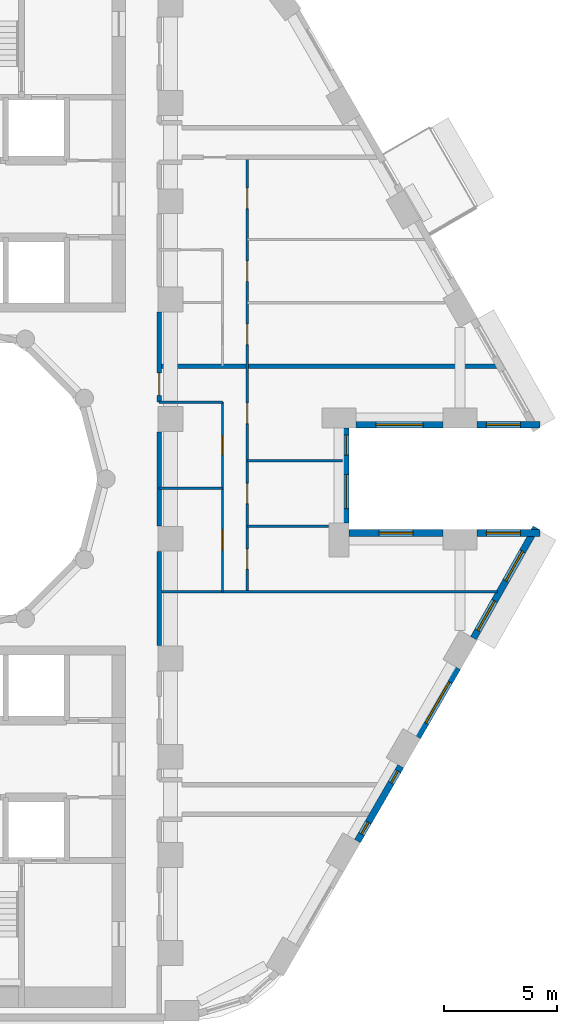
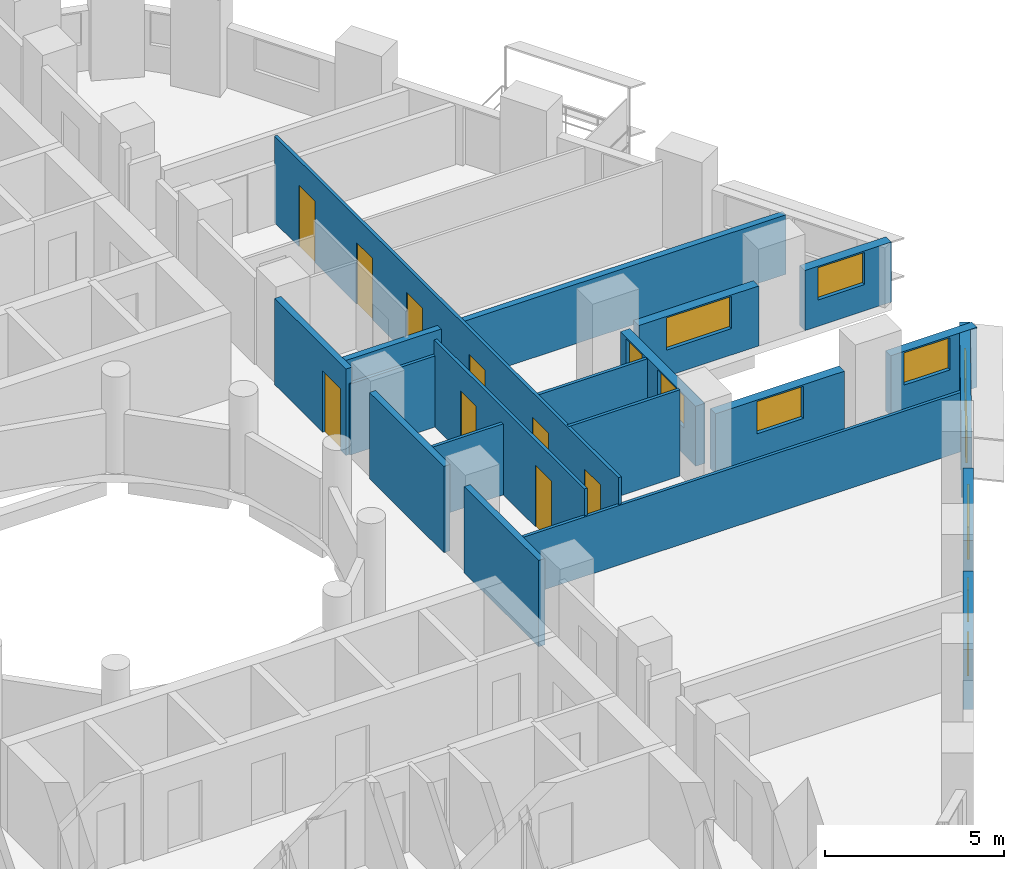
# One storey, part 6 of 13: 19 walls, 11 windows, 9 doors, 20 openings.
"""IFC4 building model written with IfcOpenShell, lengths in metres."""

import ifcopenshell
import ifcopenshell.guid

model = None  # the IFC model being written
_history = None  # IfcOwnerHistory: only IFC2X3 demands one
_inside = {}  # id of a spatial element -> (the spatial element, [elements in it])
_under = {}  # id of a project, library or spatial element -> (it, [spatial elements below it])
_declared = {}  # id of a project -> (the project, [libraries it declares])
_typed = {}  # id of a type object -> (the type object, [elements of that type])
_made_of = {}  # id of a material, layer set ... -> (it, [elements and type objects made of it])


def new_model(schema):
    """Start an empty IFC model of exactly this schema.

    Asked for "IFC4X3", IfcOpenShell would pick the latest addendum, in which some entities
    have other attributes; the version numbers below select the first issue.
    IFC2X3 requires an IfcOwnerHistory on every rooted entity: one is made here for all.
    """
    global model, _history
    if schema == "IFC4X3":
        model = ifcopenshell.file(schema_version=(4, 3, 0, 0))
    else:
        model = ifcopenshell.file(schema=schema)
    _inside.clear()
    _under.clear()
    _declared.clear()
    _typed.clear()
    _made_of.clear()
    _history = None
    if model.schema == "IFC2X3":
        org = make("IfcOrganization", Name="unknown")
        user = make(
            "IfcPersonAndOrganization",
            ThePerson=make("IfcPerson", FamilyName="unknown"),
            TheOrganization=org,
        )
        app = make(
            "IfcApplication",
            ApplicationDeveloper=org,
            Version="unknown",
            ApplicationFullName="unknown",
            ApplicationIdentifier="unknown",
        )
        _history = make(
            "IfcOwnerHistory",
            OwningUser=user,
            OwningApplication=app,
            ChangeAction="ADDED",
            CreationDate=0,
        )
    return model


def make(cls, **values):
    """One entity of the class cls with the attributes given. An attribute that is None is left unset."""
    return model.create_entity(
        cls, **{name: value for name, value in values.items() if value is not None}
    )


def rooted(cls, **values):
    """An entity with a GlobalId (a new one), such as an element, a storey or a relation."""
    return make(cls, GlobalId=ifcopenshell.guid.new(), OwnerHistory=_history, **values)


def si_unit(unit_type, name, prefix=None):
    """IfcSIUnit, for example si_unit("LENGTHUNIT", "METRE", prefix="MILLI")."""
    return make("IfcSIUnit", UnitType=unit_type, Prefix=prefix, Name=name)


def assignment(units):
    """IfcUnitAssignment: the units of a project."""
    return None if units is None else make("IfcUnitAssignment", Units=units)


def point(xyz):
    """IfcCartesianPoint."""
    return None if xyz is None else make("IfcCartesianPoint", Coordinates=xyz)


def direction(xyz):
    """IfcDirection."""
    return None if xyz is None else make("IfcDirection", DirectionRatios=xyz)


def frame(location, z_axis=None, x_axis=None):
    """IfcAxis2Placement3D, a coordinate frame: its origin and axes. An axis left out is left unset."""
    return make(
        "IfcAxis2Placement3D",
        Location=point(location),
        Axis=direction(z_axis),
        RefDirection=direction(x_axis),
    )


def frame_2d(location, x_axis=None):
    """IfcAxis2Placement2D, a coordinate frame in the plane: its origin and x axis."""
    return make(
        "IfcAxis2Placement2D", Location=point(location), RefDirection=direction(x_axis)
    )


def origin():
    """The frame at (0, 0, 0) with its axes left unset."""
    return frame((0.0, 0.0, 0.0))


def place(relative_to, where):
    """IfcLocalPlacement: puts the frame where relative to a parent placement (None: the world)."""
    return make(
        "IfcLocalPlacement", PlacementRelTo=relative_to, RelativePlacement=where
    )


def context(
    kind, dimensions, precision=None, world=None, true_north=None, identifier=None
):
    """IfcGeometricRepresentationContext, for example the 3D "Model" context."""
    return make(
        "IfcGeometricRepresentationContext",
        ContextIdentifier=identifier,
        ContextType=kind,
        CoordinateSpaceDimension=dimensions,
        Precision=precision,
        WorldCoordinateSystem=world,
        TrueNorth=true_north,
    )


def subcontext(parent, identifier, kind, view, scale=None):
    """IfcGeometricRepresentationSubContext, for example "Body" below "Model"."""
    return make(
        "IfcGeometricRepresentationSubContext",
        ContextIdentifier=identifier,
        ContextType=kind,
        ParentContext=parent,
        TargetScale=scale,
        TargetView=view,
    )


def project(units=None, contexts=None):
    """IfcProject with its units and contexts."""
    return rooted(
        "IfcProject",
        Name="project",
        RepresentationContexts=contexts,
        UnitsInContext=assignment(units),
    )


def spatial(cls, under=None, at=None, **own):
    """A site, building, storey or space (cls), placed at a placement, below another one or the project."""
    s = rooted(cls, ObjectPlacement=at, **own)
    if under is not None:
        _under.setdefault(under.id(), (under, []))[1].append(s)
    return s


def profile(cls, at=None, kind="AREA", **sizes):
    """A parametric profile (cls). Its sizes go by their IFC names, for example OverallWidth=200.0."""
    return make(cls, ProfileType=kind, Position=at, **sizes)


def rectangle(**sizes):
    """IfcRectangleProfileDef."""
    return profile("IfcRectangleProfileDef", **sizes)


def extrude(swept, where, along, depth):
    """IfcExtrudedAreaSolid: the profile swept, set in the frame where, extruded along a direction by depth."""
    return make(
        "IfcExtrudedAreaSolid",
        SweptArea=swept,
        Position=where,
        ExtrudedDirection=direction(along),
        Depth=depth,
    )


def shape(context_of_items, identifier, shape_type, items):
    """IfcShapeRepresentation: the items that make up one representation, for example the "Body"."""
    return make(
        "IfcShapeRepresentation",
        ContextOfItems=context_of_items,
        RepresentationIdentifier=identifier,
        RepresentationType=shape_type,
        Items=items,
    )


def material(Name=None, Category=None):
    """IfcMaterial."""
    return make("IfcMaterial", Name=Name, Category=Category)


def layer(
    of_material, thickness, ventilated=None, Name=None, Category=None, Priority=None
):
    """IfcMaterialLayer: one layer of a wall or slab, of a material (None: an air gap)."""
    return make(
        "IfcMaterialLayer",
        Material=of_material,
        LayerThickness=thickness,
        IsVentilated=ventilated,
        Name=Name,
        Category=Category,
        Priority=Priority,
    )


def layer_set(layers, Name=None):
    """IfcMaterialLayerSet."""
    return make("IfcMaterialLayerSet", MaterialLayers=layers, LayerSetName=Name)


def made_of(thing, what):
    """Note that an element or type object is made of a material, layer set ...; save() writes the relation."""
    if what is not None:
        _made_of.setdefault(what.id(), (what, []))[1].append(thing)
    return thing


def type_object(cls, material=None, **own):
    """A type object (cls), such as IfcWallType, which elements share."""
    return made_of(rooted(cls, **own), material)


def element(
    cls,
    number,
    at=None,
    inside=None,
    cuts=None,
    type_object=None,
    material=None,
    context=None,
    identifier="Body",
    shape_type=None,
    held_by="IfcProductDefinitionShape",
    body=None,
    shapes=None,
    **own,
):
    """One element of the class cls, such as IfcWall. Its Tag is "e" and its number.

    at: its placement. inside: the storey or other place that contains it. cuts: it is an
    opening in that element (IfcRelVoidsElement). A single representation is given by context,
    identifier, shape_type and body (its items); several are given by shapes. held_by: the class
    of the entity that holds the representations. save() writes the other relations.
    """
    e = rooted(cls, Tag="e%d" % number, ObjectPlacement=at, **own)
    if body is not None:
        shapes = [shape(context, identifier, shape_type, body)]
    if shapes is not None:
        e.Representation = make(held_by, Representations=shapes)
    if inside is not None:
        _inside.setdefault(inside.id(), (inside, []))[1].append(e)
    if cuts is not None:
        rooted(
            "IfcRelVoidsElement", RelatingBuildingElement=cuts, RelatedOpeningElement=e
        )
    if type_object is not None:
        _typed.setdefault(type_object.id(), (type_object, []))[1].append(e)
    return made_of(e, material)


def fill(opening, filler):
    """IfcRelFillsElement: the door or window that sits in an opening."""
    return rooted(
        "IfcRelFillsElement",
        RelatingOpeningElement=opening,
        RelatedBuildingElement=filler,
    )


def aggregate(whole, parts):
    """IfcRelAggregates: a whole, such as a stair, and the parts it consists of."""
    return rooted("IfcRelAggregates", RelatingObject=whole, RelatedObjects=parts)


def save(model, path):
    """Write the relations noted so far, then the file.

    IfcRelAggregates (storeys below a building ...), IfcRelContainedInSpatialStructure (elements
    in a storey), IfcRelDefinesByType, IfcRelAssociatesMaterial and IfcRelDeclares: one each for
    every whole, place, type object, material and project.
    """
    for whole, parts in _under.values():
        aggregate(whole, parts)
    for where, things in _inside.values():
        rooted(
            "IfcRelContainedInSpatialStructure",
            RelatedElements=things,
            RelatingStructure=where,
        )
    for kind, things in _typed.values():
        rooted("IfcRelDefinesByType", RelatedObjects=things, RelatingType=kind)
    for what, things in _made_of.values():
        rooted("IfcRelAssociatesMaterial", RelatedObjects=things, RelatingMaterial=what)
    for by, libraries in _declared.values():
        rooted("IfcRelDeclares", RelatingContext=by, RelatedDefinitions=libraries)
    model.write(path)


model = new_model("IFC4")

# Units and contexts
model_context = context("Model", 3, precision=1e-05, world=origin(), true_north=direction((0.0, 1.0)))
body_context = subcontext(model_context, "Body", "Model", "MODEL_VIEW")
ifc_project = project(units=[si_unit("LENGTHUNIT", "METRE"), si_unit("AREAUNIT", "SQUARE_METRE"), si_unit("VOLUMEUNIT", "CUBIC_METRE"), si_unit("PLANEANGLEUNIT", "RADIAN"), si_unit("MASSUNIT", "GRAM", prefix="KILO")], contexts=[model_context])

# Site, building, storey
site_placement = place(None, origin())
site = spatial("IfcSite", under=ifc_project, at=site_placement, CompositionType="ELEMENT")
building_placement = place(site_placement, origin())
building = spatial("IfcBuilding", under=site, at=building_placement, Name="Nakaniwa Court", CompositionType="ELEMENT")
storey_placement = place(building_placement, frame((0.0, 0.0, 67.800048828125)))
storey = spatial("IfcBuildingStorey", under=building, at=storey_placement, Name="L18", CompositionType="ELEMENT", Elevation=67.800048828125)

# Walls
ifc_material_1 = material(Name="Acoustic double stud partition")
ifc_layer_1 = layer(ifc_material_1, 0.199951171875)
ifc_layer_set_1 = layer_set([ifc_layer_1], Name="Acoustic double stud partition")
wall_type_1 = type_object("IfcWallType", Name="Acoustic double stud partition 200", PredefinedType="PARTITIONING", material=ifc_layer_set_1)
for number, where, z_axis, x_axis, name in (
    (1, (89.5, 72.616943359375, 0.0), (0.0, 0.0, 1.0), (0.0, 1.0, 0.0), "Partition PW-076"),
    (2, (89.5, 77.9169921875, 0.0), (0.0, 0.0, 1.0), (0.0, 1.0, 0.0), "Partition PW-077"),
):
    element("IfcWall", number, at=place(storey_placement, frame(where, z_axis=z_axis, x_axis=x_axis)), inside=storey, type_object=wall_type_1, Name=name, PredefinedType="PARTITIONING", context=body_context, shape_type="SweptSolid", body=[
        extrude(rectangle(XDim=4.166015625, YDim=0.199951171875, at=frame_2d((2.0830078125, 0.0))), origin(), (0.0, 0.0, 1.0), 2.949951171875),
    ])

# Wall, opening, door
wall_1_placement = place(storey_placement, frame((89.5, 87.383056640625, 0.0), z_axis=(0.0, 0.0, 1.0), x_axis=(0.0, -1.0, 0.0)))
wall_1 = element("IfcWall", 3, at=wall_1_placement, inside=storey, type_object=wall_type_1, Name="Partition PW-078", PredefinedType="PARTITIONING", context=body_context, shape_type="SweptSolid", body=[
    extrude(rectangle(XDim=3.986083984375, YDim=0.199951171875, at=frame_2d((1.9931640625, 0.0))), origin(), (0.0, 0.0, 1.0), 2.949951171875),
])
opening_1_placement = place(wall_1_placement, frame((2.68310546875, 0.0, 0.0)))
opening_1 = element("IfcOpeningElement", 4, at=opening_1_placement, cuts=wall_1, Name="Opening D-01-01", PredefinedType="OPENING", context=body_context, shape_type="SweptSolid", body=[
    extrude(rectangle(XDim=1.0, YDim=2.10009765625, at=frame_2d((0.5, 1.050048828125))), frame((0.0, 0.10986328125, 0.0), z_axis=(0.0, -1.0, 0.0), x_axis=(1.0, 0.0, 0.0)), (0.0, 0.0, 1.0), 0.219970703125),
])
ifc_material_2 = material(Name="Solid core timber door set, black veneer", Category="wood")
door_type_1 = type_object("IfcDoorType", Name="Flat entrance door 1000", OperationType="NOTDEFINED", PredefinedType="DOOR", material=ifc_material_2)
door_1_placement = place(opening_1_placement, origin())
door_1 = element("IfcDoor", 5, at=door_1_placement, inside=storey, type_object=door_type_1, Name="Door D-01-01 L18-031", OperationType="SINGLE_SWING_RIGHT", OverallHeight=2.10009765625, OverallWidth=1.0, PredefinedType="DOOR", context=body_context, shape_type="SweptSolid", body=[
    extrude(rectangle(XDim=1.0, YDim=2.10009765625, at=frame_2d((0.5, 1.050048828125))), frame((0.0, 0.02490234375, 0.0), z_axis=(0.0, -1.0, 0.0), x_axis=(1.0, 0.0, 0.0)), (0.0, 0.0, 1.0), 0.050048828125),
])
fill(opening_1, door_1)

# Wall
wall_2_placement = place(storey_placement, frame((89.5, 85.0, 0.0), z_axis=(0.0, 0.0, 1.0), x_axis=(1.0, 0.0, 0.0)))
element("IfcWall", 6, at=wall_2_placement, inside=storey, type_object=wall_type_1, Name="Partition PW-119", PredefinedType="PARTITIONING", context=body_context, shape_type="SweptSolid", body=[
    extrude(rectangle(XDim=14.9794921875, YDim=0.199951171875, at=frame_2d((7.48974609375, 0.0))), origin(), (0.0, 0.0, 1.0), 2.030029296875),
])

# Wall, opening, window
ifc_material_3 = material(Name="Charcoal ceramic cladding")
ifc_layer_2 = layer(ifc_material_3, 0.02, Name="Ceramic cladding")
ifc_material_4 = material(Name="Ventilated air cavity")
ifc_layer_3 = layer(ifc_material_4, 0.04, ventilated=True, Name="Ventilated cavity")
ifc_material_5 = material(Name="Mineral wool insulation")
ifc_layer_4 = layer(ifc_material_5, 0.1, Name="Insulation")
ifc_material_6 = material(Name="Cement bonded sheathing board")
ifc_layer_5 = layer(ifc_material_6, 0.012, Name="Sheathing")
ifc_material_7 = material(Name="Cold-formed galvanised stud frame with mineral wool infill")
ifc_layer_6 = layer(ifc_material_7, 0.1, Name="Stud frame")
ifc_material_8 = material(Name="Fire-rated gypsum plasterboard lining")
ifc_layer_7 = layer(ifc_material_8, 0.028, Name="Lining")
ifc_layer_set_2 = layer_set([ifc_layer_2, ifc_layer_3, ifc_layer_4, ifc_layer_5, ifc_layer_6, ifc_layer_7], Name="Charcoal ceramic faced external wall system")
wall_type_2 = type_object("IfcWallType", Name="Black ceramic faced external wall 300", PredefinedType="SOLIDWALL", material=ifc_layer_set_2)
wall_3_placement = place(storey_placement, frame((98.204345703125, 82.39990234375, 0.0), z_axis=(0.0, 0.0, 1.0), x_axis=(1.0, 0.0, 0.0)))
wall_3 = element("IfcWall", 7, at=wall_3_placement, inside=storey, type_object=wall_type_2, Name="L18 external wall 00", PredefinedType="SOLIDWALL", context=body_context, shape_type="SweptSolid", body=[
    extrude(rectangle(XDim=3.87255859375, YDim=0.300048828125, at=frame_2d((1.936279296875, 0.0))), origin(), (0.0, 0.0, 1.0), 2.050048828125),
])
opening_2_placement = place(wall_3_placement, frame((0.88623046875, 0.0, 0.89990234375)))
opening_2 = element("IfcOpeningElement", 8, at=opening_2_placement, cuts=wall_3, Name="Opening W7.01", PredefinedType="OPENING", context=body_context, shape_type="SweptSolid", body=[
    extrude(rectangle(XDim=2.10009765625, YDim=1.10009765625, at=frame_2d((1.050048828125, 0.550048828125))), frame((0.0, 0.159912109375, 0.0), z_axis=(0.0, -1.0, 0.0), x_axis=(1.0, 0.0, 0.0)), (0.0, 0.0, 1.0), 0.320068359375),
])
ifc_material_9 = material(Name="Black anodised aluminium frame with dark low-E laminated double glazing", Category="aluminium")
window_type_1 = type_object("IfcWindowType", Name="Dark glass window 2100x1100 sill 900", PartitioningType="SINGLE_PANEL", PredefinedType="WINDOW", material=ifc_material_9)
window_1_placement = place(opening_2_placement, origin())
window_1 = element("IfcWindow", 9, at=window_1_placement, inside=storey, type_object=window_type_1, Name="L18 living window 00-0", OverallHeight=1.10009765625, OverallWidth=2.10009765625, PartitioningType="SINGLE_PANEL", PredefinedType="WINDOW", context=body_context, shape_type="SweptSolid", body=[
    extrude(rectangle(XDim=2.10009765625, YDim=1.10009765625, at=frame_2d((1.050048828125, 0.550048828125))), frame((0.0, 0.030029296875, 0.0), z_axis=(0.0, -1.0, 0.0), x_axis=(1.0, 0.0, 0.0)), (0.0, 0.0, 1.0), 0.06005859375),
])
fill(opening_2, window_1)

wall_4_placement = place(storey_placement, frame((103.56884765625, 82.39990234375, 0.0), z_axis=(0.0, 0.0, 1.0), x_axis=(1.0, 0.0, 0.0)))
wall_4 = element("IfcWall", 10, at=wall_4_placement, inside=storey, type_object=wall_type_2, Name="L18 external wall 01", PredefinedType="SOLIDWALL", context=body_context, shape_type="SweptSolid", body=[
    extrude(rectangle(XDim=2.787841796875, YDim=0.300048828125, at=frame_2d((1.39404296875, 0.0))), origin(), (0.0, 0.0, 1.0), 2.050048828125),
])
opening_3_placement = place(wall_4_placement, frame((0.4189453125, 0.0, 0.89990234375)))
opening_3 = element("IfcOpeningElement", 11, at=opening_3_placement, cuts=wall_4, Name="Opening W5.02", PredefinedType="OPENING", context=body_context, shape_type="SweptSolid", body=[
    extrude(rectangle(XDim=1.5, YDim=1.10009765625, at=frame_2d((0.75, 0.550048828125))), frame((0.0, 0.159912109375, 0.0), z_axis=(0.0, -1.0, 0.0), x_axis=(1.0, 0.0, 0.0)), (0.0, 0.0, 1.0), 0.320068359375),
])
window_type_2 = type_object("IfcWindowType", Name="Dark glass window 1500x1100 sill 900", PartitioningType="SINGLE_PANEL", PredefinedType="WINDOW", material=ifc_material_9)
window_2_placement = place(opening_3_placement, origin())
window_2 = element("IfcWindow", 12, at=window_2_placement, inside=storey, type_object=window_type_2, Name="L18 living window 01-0", OverallHeight=1.10009765625, OverallWidth=1.5, PartitioningType="SINGLE_PANEL", PredefinedType="WINDOW", context=body_context, shape_type="SweptSolid", body=[
    extrude(rectangle(XDim=1.5, YDim=1.10009765625, at=frame_2d((0.75, 0.550048828125))), frame((0.0, 0.030029296875, 0.0), z_axis=(0.0, -1.0, 0.0), x_axis=(1.0, 0.0, 0.0)), (0.0, 0.0, 1.0), 0.06005859375),
])
fill(opening_3, window_2)

# Wall, openings, windows
wall_5_placement = place(storey_placement, frame((98.2783203125, 63.958984375, 0.0), z_axis=(0.0, 0.0, 1.0), x_axis=(0.500001735503, 0.866024401789, 0.0)))
wall_5 = element("IfcWall", 13, at=wall_5_placement, inside=storey, type_object=wall_type_2, Name="L18 external wall 30", PredefinedType="SOLIDWALL", context=body_context, shape_type="SweptSolid", body=[
    extrude(rectangle(XDim=3.833984375, YDim=0.300048828125, at=frame_2d((1.9169921875, 0.0))), origin(), (0.0, 0.0, 1.0), 2.050048828125),
])
opening_4_placement = place(wall_5_placement, frame((0.363525390625, 0.0, 0.89990234375)))
opening_4 = element("IfcOpeningElement", 14, at=opening_4_placement, cuts=wall_5, Name="Opening W8.32", PredefinedType="OPENING", context=body_context, shape_type="SweptSolid", body=[
    extrude(rectangle(XDim=0.60009765625, YDim=1.10009765625, at=frame_2d((0.300048828125, 0.550048828125))), frame((0.0, 0.159912109375, 0.0), z_axis=(0.0, -1.0, 0.0), x_axis=(1.0, 0.0, 0.0)), (0.0, 0.0, 1.0), 0.320068359375),
])
opening_5_placement = place(wall_5_placement, frame((2.981201171875, 0.0, 0.89990234375)))
opening_5 = element("IfcOpeningElement", 15, at=opening_5_placement, cuts=wall_5, Name="Opening W8.33", PredefinedType="OPENING", context=body_context, shape_type="SweptSolid", body=[
    extrude(rectangle(XDim=0.60009765625, YDim=1.10009765625, at=frame_2d((0.300048828125, 0.550048828125))), frame((0.0, 0.159912109375, 0.0), z_axis=(0.0, -1.0, 0.0), x_axis=(1.0, 0.0, 0.0)), (0.0, 0.0, 1.0), 0.320068359375),
])
window_type_3 = type_object("IfcWindowType", Name="Dark glass window 600x1100 sill 900", PartitioningType="SINGLE_PANEL", PredefinedType="WINDOW", material=ifc_material_9)
window_3_placement = place(opening_4_placement, origin())
window_3 = element("IfcWindow", 16, at=window_3_placement, inside=storey, type_object=window_type_3, Name="L18 habitable room window 30-0", OverallHeight=1.10009765625, OverallWidth=0.60009765625, PartitioningType="SINGLE_PANEL", PredefinedType="WINDOW", context=body_context, shape_type="SweptSolid", body=[
    extrude(rectangle(XDim=0.60009765625, YDim=1.10009765625, at=frame_2d((0.300048828125, 0.550048828125))), frame((0.0, 0.030029296875, 0.0), z_axis=(0.0, -1.0, 0.0), x_axis=(1.0, 0.0, 0.0)), (0.0, 0.0, 1.0), 0.06005859375),
])
fill(opening_4, window_3)
window_4_placement = place(opening_5_placement, origin())
window_4 = element("IfcWindow", 17, at=window_4_placement, inside=storey, type_object=window_type_3, Name="L18 habitable room window 30-2", OverallHeight=1.10009765625, OverallWidth=0.60009765625, PartitioningType="SINGLE_PANEL", PredefinedType="WINDOW", context=body_context, shape_type="SweptSolid", body=[
    extrude(rectangle(XDim=0.60009765625, YDim=1.10009765625, at=frame_2d((0.300048828125, 0.550048828125))), frame((0.0, 0.030029296875, 0.0), z_axis=(0.0, -1.0, 0.0), x_axis=(1.0, 0.0, 0.0)), (0.0, 0.0, 1.0), 0.06005859375),
])
fill(opening_5, window_4)

# Wall, opening, window
wall_6_placement = place(storey_placement, frame((100.94140625, 68.5712890625, 0.0), z_axis=(0.0, 0.0, 1.0), x_axis=(0.499977402622, 0.866038449993, 0.0)))
wall_6 = element("IfcWall", 18, at=wall_6_placement, inside=storey, type_object=wall_type_2, Name="L18 external wall 31", PredefinedType="SOLIDWALL", context=body_context, shape_type="SweptSolid", body=[
    extrude(rectangle(XDim=3.536865234375, YDim=0.300048828125, at=frame_2d((1.7685546875, 0.0))), origin(), (0.0, 0.0, 1.0), 2.050048828125),
])
opening_6_placement = place(wall_6_placement, frame((0.718505859375, 0.0, 0.89990234375)))
opening_6 = element("IfcOpeningElement", 19, at=opening_6_placement, cuts=wall_6, Name="Opening W7.34", PredefinedType="OPENING", context=body_context, shape_type="SweptSolid", body=[
    extrude(rectangle(XDim=2.10009765625, YDim=1.10009765625, at=frame_2d((1.050048828125, 0.550048828125))), frame((0.0, 0.159912109375, 0.0), z_axis=(0.0, -1.0, 0.0), x_axis=(1.0, 0.0, 0.0)), (0.0, 0.0, 1.0), 0.320068359375),
])
window_5_placement = place(opening_6_placement, origin())
window_5 = element("IfcWindow", 20, at=window_5_placement, inside=storey, type_object=window_type_1, Name="L18 habitable room window 31-0", OverallHeight=1.10009765625, OverallWidth=2.10009765625, PartitioningType="SINGLE_PANEL", PredefinedType="WINDOW", context=body_context, shape_type="SweptSolid", body=[
    extrude(rectangle(XDim=2.10009765625, YDim=1.10009765625, at=frame_2d((1.050048828125, 0.550048828125))), frame((0.0, 0.030029296875, 0.0), z_axis=(0.0, -1.0, 0.0), x_axis=(1.0, 0.0, 0.0)), (0.0, 0.0, 1.0), 0.06005859375),
])
fill(opening_6, window_5)

# Wall, openings, windows
wall_7_placement = place(storey_placement, frame((103.415771484375, 72.949462890625, 0.0), z_axis=(0.0, 0.0, 1.0), x_axis=(0.492363204642, 0.870389840655, 0.0)))
wall_7 = element("IfcWall", 21, at=wall_7_placement, inside=storey, type_object=wall_type_2, Name="L18 external wall 32", PredefinedType="SOLIDWALL", context=body_context, shape_type="SweptSolid", body=[
    extrude(rectangle(XDim=5.62646484375, YDim=0.300048828125, at=frame_2d((2.813232421875, 0.0))), origin(), (0.0, 0.0, 1.0), 2.050048828125),
])
opening_7_placement = place(wall_7_placement, frame((0.392578125, 0.0, 0.89990234375)))
opening_7 = element("IfcOpeningElement", 22, at=opening_7_placement, cuts=wall_7, Name="Opening W5.35", PredefinedType="OPENING", context=body_context, shape_type="SweptSolid", body=[
    extrude(rectangle(XDim=1.5, YDim=1.10009765625, at=frame_2d((0.75, 0.550048828125))), frame((0.0, 0.159912109375, 0.0), z_axis=(0.0, -1.0, 0.0), x_axis=(1.0, 0.0, 0.0)), (0.0, 0.0, 1.0), 0.320068359375),
])
opening_8_placement = place(wall_7_placement, frame((2.917236328125, 0.0, 0.89990234375)))
opening_8 = element("IfcOpeningElement", 23, at=opening_8_placement, cuts=wall_7, Name="Opening W5.36", PredefinedType="OPENING", context=body_context, shape_type="SweptSolid", body=[
    extrude(rectangle(XDim=1.5, YDim=1.10009765625, at=frame_2d((0.75, 0.550048828125))), frame((0.0, 0.159912109375, 0.0), z_axis=(0.0, -1.0, 0.0), x_axis=(1.0, 0.0, 0.0)), (0.0, 0.0, 1.0), 0.320068359375),
])
window_6_placement = place(opening_7_placement, origin())
window_6 = element("IfcWindow", 24, at=window_6_placement, inside=storey, type_object=window_type_2, Name="L18 habitable room window 32-0", OverallHeight=1.10009765625, OverallWidth=1.5, PartitioningType="SINGLE_PANEL", PredefinedType="WINDOW", context=body_context, shape_type="SweptSolid", body=[
    extrude(rectangle(XDim=1.5, YDim=1.10009765625, at=frame_2d((0.75, 0.550048828125))), frame((0.0, 0.030029296875, 0.0), z_axis=(0.0, -1.0, 0.0), x_axis=(1.0, 0.0, 0.0)), (0.0, 0.0, 1.0), 0.06005859375),
])
fill(opening_7, window_6)
window_7_placement = place(opening_8_placement, origin())
window_7 = element("IfcWindow", 25, at=window_7_placement, inside=storey, type_object=window_type_2, Name="L18 bedroom window 32-1", OverallHeight=1.10009765625, OverallWidth=1.5, PartitioningType="SINGLE_PANEL", PredefinedType="WINDOW", context=body_context, shape_type="SweptSolid", body=[
    extrude(rectangle(XDim=1.5, YDim=1.10009765625, at=frame_2d((0.75, 0.550048828125))), frame((0.0, 0.030029296875, 0.0), z_axis=(0.0, -1.0, 0.0), x_axis=(1.0, 0.0, 0.0)), (0.0, 0.0, 1.0), 0.06005859375),
])
fill(opening_8, window_7)

# Wall, opening, window
wall_8_placement = place(storey_placement, frame((106.356689453125, 77.60009765625, 0.0), z_axis=(0.0, 0.0, 1.0), x_axis=(-1.0, 0.0, 0.0)))
wall_8 = element("IfcWall", 26, at=wall_8_placement, inside=storey, type_object=wall_type_2, Name="L18 external wall 33", PredefinedType="SOLIDWALL", context=body_context, shape_type="SweptSolid", body=[
    extrude(rectangle(XDim=2.787841796875, YDim=0.300048828125, at=frame_2d((1.39404296875, 0.0))), origin(), (0.0, 0.0, 1.0), 2.050048828125),
])
opening_9_placement = place(wall_8_placement, frame((0.868896484375, 0.0, 0.89990234375)))
opening_9 = element("IfcOpeningElement", 27, at=opening_9_placement, cuts=wall_8, Name="Opening W5.37", PredefinedType="OPENING", context=body_context, shape_type="SweptSolid", body=[
    extrude(rectangle(XDim=1.5, YDim=1.10009765625, at=frame_2d((0.75, 0.550048828125))), frame((0.0, 0.159912109375, 0.0), z_axis=(0.0, -1.0, 0.0), x_axis=(1.0, 0.0, 0.0)), (0.0, 0.0, 1.0), 0.320068359375),
])
window_8_placement = place(opening_9_placement, origin())
window_8 = element("IfcWindow", 28, at=window_8_placement, inside=storey, type_object=window_type_2, Name="L18 bedroom window 33-0", OverallHeight=1.10009765625, OverallWidth=1.5, PartitioningType="SINGLE_PANEL", PredefinedType="WINDOW", context=body_context, shape_type="SweptSolid", body=[
    extrude(rectangle(XDim=1.5, YDim=1.10009765625, at=frame_2d((0.75, 0.550048828125))), frame((0.0, 0.030029296875, 0.0), z_axis=(0.0, -1.0, 0.0), x_axis=(1.0, 0.0, 0.0)), (0.0, 0.0, 1.0), 0.06005859375),
])
fill(opening_9, window_8)

wall_9_placement = place(storey_placement, frame((102.076904296875, 77.60009765625, 0.0), z_axis=(0.0, 0.0, 1.0), x_axis=(-1.0, 0.0, 0.0)))
wall_9 = element("IfcWall", 29, at=wall_9_placement, inside=storey, type_object=wall_type_2, Name="L18 external wall 34", PredefinedType="SOLIDWALL", context=body_context, shape_type="SweptSolid", body=[
    extrude(rectangle(XDim=4.172607421875, YDim=0.300048828125, at=frame_2d((2.08642578125, 0.0))), origin(), (0.0, 0.0, 1.0), 2.050048828125),
])
opening_10_placement = place(wall_9_placement, frame((1.336181640625, 0.0, 0.89990234375)))
opening_10 = element("IfcOpeningElement", 30, at=opening_10_placement, cuts=wall_9, Name="Opening W5.38", PredefinedType="OPENING", context=body_context, shape_type="SweptSolid", body=[
    extrude(rectangle(XDim=1.5, YDim=1.10009765625, at=frame_2d((0.75, 0.550048828125))), frame((0.0, 0.159912109375, 0.0), z_axis=(0.0, -1.0, 0.0), x_axis=(1.0, 0.0, 0.0)), (0.0, 0.0, 1.0), 0.320068359375),
])
window_9_placement = place(opening_10_placement, origin())
window_9 = element("IfcWindow", 31, at=window_9_placement, inside=storey, type_object=window_type_2, Name="L18 bedroom window 34-0", OverallHeight=1.10009765625, OverallWidth=1.5, PartitioningType="SINGLE_PANEL", PredefinedType="WINDOW", context=body_context, shape_type="SweptSolid", body=[
    extrude(rectangle(XDim=1.5, YDim=1.10009765625, at=frame_2d((0.75, 0.550048828125))), frame((0.0, 0.030029296875, 0.0), z_axis=(0.0, -1.0, 0.0), x_axis=(1.0, 0.0, 0.0)), (0.0, 0.0, 1.0), 0.06005859375),
])
fill(opening_10, window_9)

# Wall, openings, windows
wall_10_placement = place(storey_placement, frame((97.75830078125, 78.0458984375, 0.0), z_axis=(0.0, 0.0, 1.0), x_axis=(0.0, 1.0, 0.0)))
wall_10 = element("IfcWall", 32, at=wall_10_placement, inside=storey, type_object=wall_type_2, Name="L18 external wall 35", PredefinedType="SOLIDWALL", context=body_context, shape_type="SweptSolid", body=[
    extrude(rectangle(XDim=4.2080078125, YDim=0.300048828125, at=frame_2d((2.10400390625, 0.0))), origin(), (0.0, 0.0, 1.0), 2.050048828125),
])
opening_11_placement = place(wall_10_placement, frame((0.64208984375, 0.0, 0.89990234375)))
opening_11 = element("IfcOpeningElement", 33, at=opening_11_placement, cuts=wall_10, Name="Opening W5.39", PredefinedType="OPENING", context=body_context, shape_type="SweptSolid", body=[
    extrude(rectangle(XDim=1.5, YDim=1.10009765625, at=frame_2d((0.75, 0.550048828125))), frame((0.0, 0.159912109375, 0.0), z_axis=(0.0, -1.0, 0.0), x_axis=(1.0, 0.0, 0.0)), (0.0, 0.0, 1.0), 0.320068359375),
])
opening_12_placement = place(wall_10_placement, frame((3.00927734375, 0.0, 0.89990234375)))
opening_12 = element("IfcOpeningElement", 34, at=opening_12_placement, cuts=wall_10, Name="Opening W9.40", PredefinedType="OPENING", context=body_context, shape_type="SweptSolid", body=[
    extrude(rectangle(XDim=0.89990234375, YDim=1.10009765625, at=frame_2d((0.449951171875, 0.550048828125))), frame((0.0, 0.159912109375, 0.0), z_axis=(0.0, -1.0, 0.0), x_axis=(1.0, 0.0, 0.0)), (0.0, 0.0, 1.0), 0.320068359375),
])
window_10_placement = place(opening_11_placement, origin())
window_10 = element("IfcWindow", 35, at=window_10_placement, inside=storey, type_object=window_type_2, Name="L18 bedroom window 35-0", OverallHeight=1.10009765625, OverallWidth=1.5, PartitioningType="SINGLE_PANEL", PredefinedType="WINDOW", context=body_context, shape_type="SweptSolid", body=[
    extrude(rectangle(XDim=1.5, YDim=1.10009765625, at=frame_2d((0.75, 0.550048828125))), frame((0.0, 0.030029296875, 0.0), z_axis=(0.0, -1.0, 0.0), x_axis=(1.0, 0.0, 0.0)), (0.0, 0.0, 1.0), 0.06005859375),
])
fill(opening_11, window_10)
window_type_4 = type_object("IfcWindowType", Name="Dark glass window 900x1100 sill 900", PartitioningType="SINGLE_PANEL", PredefinedType="WINDOW", material=ifc_material_9)
window_11_placement = place(opening_12_placement, origin())
window_11 = element("IfcWindow", 36, at=window_11_placement, inside=storey, type_object=window_type_4, Name="L18 living window 35-1", OverallHeight=1.10009765625, OverallWidth=0.89990234375, PartitioningType="SINGLE_PANEL", PredefinedType="WINDOW", context=body_context, shape_type="SweptSolid", body=[
    extrude(rectangle(XDim=0.89990234375, YDim=1.10009765625, at=frame_2d((0.449951171875, 0.550048828125))), frame((0.0, 0.030029296875, 0.0), z_axis=(0.0, -1.0, 0.0), x_axis=(1.0, 0.0, 0.0)), (0.0, 0.0, 1.0), 0.06005859375),
])
fill(opening_12, window_11)

# Walls
ifc_material_10 = material(Name="Single stud plasterboard partition")
ifc_layer_8 = layer(ifc_material_10, 0.10009765625)
ifc_layer_set_3 = layer_set([ifc_layer_8], Name="Single stud plasterboard partition")
wall_type_3 = type_object("IfcWallType", Name="Single stud plasterboard partition 100", PredefinedType="PARTITIONING", material=ifc_layer_set_3)
wall_11_placement = place(storey_placement, frame((89.5, 75.0, 0.0), z_axis=(0.0, 0.0, 1.0), x_axis=(1.0, 0.0, 0.0)))
element("IfcWall", 37, at=wall_11_placement, inside=storey, type_object=wall_type_3, Name="Partition PW-113", PredefinedType="PARTITIONING", context=body_context, shape_type="SweptSolid", body=[
    extrude(rectangle(XDim=14.9794921875, YDim=0.10009765625, at=frame_2d((7.48974609375, 0.0))), origin(), (0.0, 0.0, 1.0), 2.030029296875),
])
wall_12_placement = place(storey_placement, frame((89.5, 79.58203125, 0.0), z_axis=(0.0, 0.0, 1.0), x_axis=(1.0, 0.0, 0.0)))
element("IfcWall", 38, at=wall_12_placement, inside=storey, type_object=wall_type_3, Name="Partition PW-114", PredefinedType="PARTITIONING", context=body_context, shape_type="SweptSolid", body=[
    extrude(rectangle(XDim=2.800048828125, YDim=0.10009765625, at=frame_2d((1.39990234375, 0.0))), origin(), (0.0, 0.0, 1.0), 2.429931640625),
])

# Wall, openings, doors
wall_13_placement = place(storey_placement, frame((92.300048828125, 75.0, 0.0), z_axis=(0.0, 0.0, 1.0), x_axis=(0.0, 1.0, 0.0)))
wall_13 = element("IfcWall", 39, at=wall_13_placement, inside=storey, type_object=wall_type_3, Name="Partition PW-115", PredefinedType="PARTITIONING", context=body_context, shape_type="SweptSolid", body=[
    extrude(rectangle(XDim=8.39990234375, YDim=0.10009765625, at=frame_2d((4.199951171875, 0.0))), origin(), (0.0, 0.0, 1.0), 2.949951171875),
])
opening_13_placement = place(wall_13_placement, frame((1.841064453125, 0.0, 0.0)))
opening_13 = element("IfcOpeningElement", 40, at=opening_13_placement, cuts=wall_13, Name="Opening D-33-01", PredefinedType="OPENING", context=body_context, shape_type="SweptSolid", body=[
    extrude(rectangle(XDim=0.89990234375, YDim=2.10009765625, at=frame_2d((0.449951171875, 1.050048828125))), frame((0.0, 0.06005859375, 0.0), z_axis=(0.0, -1.0, 0.0), x_axis=(1.0, 0.0, 0.0)), (0.0, 0.0, 1.0), 0.1201171875),
])
opening_14_placement = place(wall_13_placement, frame((6.06591796875, 0.0, 0.0)))
opening_14 = element("IfcOpeningElement", 41, at=opening_14_placement, cuts=wall_13, Name="Opening D-03-01", PredefinedType="OPENING", context=body_context, shape_type="SweptSolid", body=[
    extrude(rectangle(XDim=0.85009765625, YDim=2.10009765625, at=frame_2d((0.425048828125, 1.050048828125))), frame((0.0, 0.06005859375, 0.0), z_axis=(0.0, -1.0, 0.0), x_axis=(1.0, 0.0, 0.0)), (0.0, 0.0, 1.0), 0.1201171875),
])
ifc_material_11 = material(Name="Moisture sealed timber door set", Category="wood")
door_type_2 = type_object("IfcDoorType", Name="Bathroom door 850", OperationType="NOTDEFINED", PredefinedType="DOOR", material=ifc_material_11)
door_2_placement = place(opening_14_placement, origin())
door_2 = element("IfcDoor", 42, at=door_2_placement, inside=storey, type_object=door_type_2, Name="Door D-03-01 L18-033", OperationType="SINGLE_SWING_RIGHT", OverallHeight=2.10009765625, OverallWidth=0.85009765625, PredefinedType="DOOR", context=body_context, shape_type="SweptSolid", body=[
    extrude(rectangle(XDim=0.85009765625, YDim=2.10009765625, at=frame_2d((0.425048828125, 1.050048828125))), frame((0.0, 0.02490234375, 0.0), z_axis=(0.0, -1.0, 0.0), x_axis=(1.0, 0.0, 0.0)), (0.0, 0.0, 1.0), 0.050048828125),
])
fill(opening_14, door_2)
door_type_3 = type_object("IfcDoorType", Name="Internal door 900", OperationType="NOTDEFINED", PredefinedType="DOOR", material=ifc_material_2)
door_3_placement = place(opening_13_placement, origin())
door_3 = element("IfcDoor", 43, at=door_3_placement, inside=storey, type_object=door_type_3, Name="Door D-33-01 L18-032", OperationType="SINGLE_SWING_LEFT", OverallHeight=2.10009765625, OverallWidth=0.89990234375, PredefinedType="DOOR", context=body_context, shape_type="SweptSolid", body=[
    extrude(rectangle(XDim=0.89990234375, YDim=2.10009765625, at=frame_2d((0.449951171875, 1.050048828125))), frame((0.0, 0.02490234375, 0.0), z_axis=(0.0, -1.0, 0.0), x_axis=(1.0, 0.0, 0.0)), (0.0, 0.0, 1.0), 0.050048828125),
])
fill(opening_13, door_3)

# Wall
wall_14_placement = place(storey_placement, frame((89.5, 83.39990234375, 0.0), z_axis=(0.0, 0.0, 1.0), x_axis=(1.0, 0.0, 0.0)))
element("IfcWall", 44, at=wall_14_placement, inside=storey, type_object=wall_type_3, Name="Partition PW-117", PredefinedType="PARTITIONING", context=body_context, shape_type="SweptSolid", body=[
    extrude(rectangle(XDim=2.800048828125, YDim=0.10009765625, at=frame_2d((1.39990234375, 0.0))), origin(), (0.0, 0.0, 1.0), 2.429931640625),
])

# Wall, openings, doors
wall_15_placement = place(storey_placement, frame((93.39990234375, 94.25, 0.0), z_axis=(0.0, 0.0, 1.0), x_axis=(0.0, -1.0, 0.0)))
wall_15 = element("IfcWall", 45, at=wall_15_placement, inside=storey, type_object=wall_type_3, Name="Partition PW-118", PredefinedType="PARTITIONING", context=body_context, shape_type="SweptSolid", body=[
    extrude(rectangle(XDim=19.25, YDim=0.10009765625, at=frame_2d((9.625, 0.0))), origin(), (0.0, 0.0, 1.0), 2.949951171875),
])
opening_15_placement = place(wall_15_placement, frame((17.347900390625, 0.0, 0.0)))
opening_15 = element("IfcOpeningElement", 46, at=opening_15_placement, cuts=wall_15, Name="Opening D-33-02", PredefinedType="OPENING", context=body_context, shape_type="SweptSolid", body=[
    extrude(rectangle(XDim=0.89990234375, YDim=2.10009765625, at=frame_2d((0.449951171875, 1.050048828125))), frame((0.0, 0.06005859375, 0.0), z_axis=(0.0, -1.0, 0.0), x_axis=(1.0, 0.0, 0.0)), (0.0, 0.0, 1.0), 0.1201171875),
])
opening_16_placement = place(wall_15_placement, frame((14.445068359375, 0.0, 0.0)))
opening_16 = element("IfcOpeningElement", 47, at=opening_16_placement, cuts=wall_15, Name="Opening D-33-03", PredefinedType="OPENING", context=body_context, shape_type="SweptSolid", body=[
    extrude(rectangle(XDim=0.89990234375, YDim=2.10009765625, at=frame_2d((0.449951171875, 1.050048828125))), frame((0.0, 0.06005859375, 0.0), z_axis=(0.0, -1.0, 0.0), x_axis=(1.0, 0.0, 0.0)), (0.0, 0.0, 1.0), 0.1201171875),
])
opening_17_placement = place(wall_15_placement, frame((10.89697265625, 0.0, 0.0)))
opening_17 = element("IfcOpeningElement", 48, at=opening_17_placement, cuts=wall_15, Name="Opening D-33-04", PredefinedType="OPENING", context=body_context, shape_type="SweptSolid", body=[
    extrude(rectangle(XDim=0.89990234375, YDim=2.10009765625, at=frame_2d((0.449951171875, 1.050048828125))), frame((0.0, 0.06005859375, 0.0), z_axis=(0.0, -1.0, 0.0), x_axis=(1.0, 0.0, 0.0)), (0.0, 0.0, 1.0), 0.1201171875),
])
opening_18_placement = place(wall_15_placement, frame((7.39990234375, 0.0, 0.0)))
opening_18 = element("IfcOpeningElement", 49, at=opening_18_placement, cuts=wall_15, Name="Opening D-33-06", PredefinedType="OPENING", context=body_context, shape_type="SweptSolid", body=[
    extrude(rectangle(XDim=0.89990234375, YDim=2.10009765625, at=frame_2d((0.449951171875, 1.050048828125))), frame((0.0, 0.06005859375, 0.0), z_axis=(0.0, -1.0, 0.0), x_axis=(1.0, 0.0, 0.0)), (0.0, 0.0, 1.0), 0.1201171875),
])
opening_19_placement = place(wall_15_placement, frame((4.60009765625, 0.0, 0.0)))
opening_19 = element("IfcOpeningElement", 50, at=opening_19_placement, cuts=wall_15, Name="Opening D-33-07", PredefinedType="OPENING", context=body_context, shape_type="SweptSolid", body=[
    extrude(rectangle(XDim=0.89990234375, YDim=2.10009765625, at=frame_2d((0.449951171875, 1.050048828125))), frame((0.0, 0.06005859375, 0.0), z_axis=(0.0, -1.0, 0.0), x_axis=(1.0, 0.0, 0.0)), (0.0, 0.0, 1.0), 0.1201171875),
])
opening_20_placement = place(wall_15_placement, frame((1.375, 0.0, 0.0)))
opening_20 = element("IfcOpeningElement", 51, at=opening_20_placement, cuts=wall_15, Name="Opening D-33-08", PredefinedType="OPENING", context=body_context, shape_type="SweptSolid", body=[
    extrude(rectangle(XDim=0.89990234375, YDim=2.10009765625, at=frame_2d((0.449951171875, 1.050048828125))), frame((0.0, 0.06005859375, 0.0), z_axis=(0.0, -1.0, 0.0), x_axis=(1.0, 0.0, 0.0)), (0.0, 0.0, 1.0), 0.1201171875),
])
door_4_placement = place(opening_15_placement, origin())
door_4 = element("IfcDoor", 52, at=door_4_placement, inside=storey, type_object=door_type_3, Name="Door D-33-02 L18-034", OperationType="SINGLE_SWING_LEFT", OverallHeight=2.10009765625, OverallWidth=0.89990234375, PredefinedType="DOOR", context=body_context, shape_type="SweptSolid", body=[
    extrude(rectangle(XDim=0.89990234375, YDim=2.10009765625, at=frame_2d((0.449951171875, 1.050048828125))), frame((0.0, 0.02490234375, 0.0), z_axis=(0.0, -1.0, 0.0), x_axis=(1.0, 0.0, 0.0)), (0.0, 0.0, 1.0), 0.050048828125),
])
fill(opening_15, door_4)
door_5_placement = place(opening_16_placement, origin())
door_5 = element("IfcDoor", 53, at=door_5_placement, inside=storey, type_object=door_type_3, Name="Door D-33-03 L18-035", OperationType="SINGLE_SWING_RIGHT", OverallHeight=2.10009765625, OverallWidth=0.89990234375, PredefinedType="DOOR", context=body_context, shape_type="SweptSolid", body=[
    extrude(rectangle(XDim=0.89990234375, YDim=2.10009765625, at=frame_2d((0.449951171875, 1.050048828125))), frame((0.0, 0.02490234375, 0.0), z_axis=(0.0, -1.0, 0.0), x_axis=(1.0, 0.0, 0.0)), (0.0, 0.0, 1.0), 0.050048828125),
])
fill(opening_16, door_5)
door_6_placement = place(opening_17_placement, origin())
door_6 = element("IfcDoor", 54, at=door_6_placement, inside=storey, type_object=door_type_3, Name="Door D-33-04 L18-036", OperationType="SINGLE_SWING_LEFT", OverallHeight=2.10009765625, OverallWidth=0.89990234375, PredefinedType="DOOR", context=body_context, shape_type="SweptSolid", body=[
    extrude(rectangle(XDim=0.89990234375, YDim=2.10009765625, at=frame_2d((0.449951171875, 1.050048828125))), frame((0.0, 0.02490234375, 0.0), z_axis=(0.0, -1.0, 0.0), x_axis=(1.0, 0.0, 0.0)), (0.0, 0.0, 1.0), 0.050048828125),
])
fill(opening_17, door_6)
door_7_placement = place(opening_18_placement, origin())
door_7 = element("IfcDoor", 55, at=door_7_placement, inside=storey, type_object=door_type_3, Name="Door D-33-06 L18-040", OperationType="SINGLE_SWING_LEFT", OverallHeight=2.10009765625, OverallWidth=0.89990234375, PredefinedType="DOOR", context=body_context, shape_type="SweptSolid", body=[
    extrude(rectangle(XDim=0.89990234375, YDim=2.10009765625, at=frame_2d((0.449951171875, 1.050048828125))), frame((0.0, 0.02490234375, 0.0), z_axis=(0.0, -1.0, 0.0), x_axis=(1.0, 0.0, 0.0)), (0.0, 0.0, 1.0), 0.050048828125),
])
fill(opening_18, door_7)
door_8_placement = place(opening_19_placement, origin())
door_8 = element("IfcDoor", 56, at=door_8_placement, inside=storey, type_object=door_type_3, Name="Door D-33-07 L18-041", OperationType="SINGLE_SWING_RIGHT", OverallHeight=2.10009765625, OverallWidth=0.89990234375, PredefinedType="DOOR", context=body_context, shape_type="SweptSolid", body=[
    extrude(rectangle(XDim=0.89990234375, YDim=2.10009765625, at=frame_2d((0.449951171875, 1.050048828125))), frame((0.0, 0.02490234375, 0.0), z_axis=(0.0, -1.0, 0.0), x_axis=(1.0, 0.0, 0.0)), (0.0, 0.0, 1.0), 0.050048828125),
])
fill(opening_19, door_8)
door_9_placement = place(opening_20_placement, origin())
door_9 = element("IfcDoor", 57, at=door_9_placement, inside=storey, type_object=door_type_3, Name="Door D-33-08 L18-042", OperationType="SINGLE_SWING_LEFT", OverallHeight=2.10009765625, OverallWidth=0.89990234375, PredefinedType="DOOR", context=body_context, shape_type="SweptSolid", body=[
    extrude(rectangle(XDim=0.89990234375, YDim=2.10009765625, at=frame_2d((0.449951171875, 1.050048828125))), frame((0.0, 0.02490234375, 0.0), z_axis=(0.0, -1.0, 0.0), x_axis=(1.0, 0.0, 0.0)), (0.0, 0.0, 1.0), 0.050048828125),
])
fill(opening_20, door_9)

# Walls
wall_16_placement = place(storey_placement, frame((93.39990234375, 77.903076171875, 0.0), z_axis=(0.0, 0.0, 1.0), x_axis=(1.0, 0.0, 0.0)))
element("IfcWall", 58, at=wall_16_placement, inside=storey, type_object=wall_type_3, Name="Partition PW-120", PredefinedType="PARTITIONING", context=body_context, shape_type="SweptSolid", body=[
    extrude(rectangle(XDim=3.58837890625, YDim=0.10009765625, at=frame_2d((1.794189453125, 0.0))), origin(), (0.0, 0.0, 1.0), 2.949951171875),
])
wall_17_placement = place(storey_placement, frame((93.39990234375, 80.805908203125, 0.0), z_axis=(0.0, 0.0, 1.0), x_axis=(1.0, 0.0, 0.0)))
element("IfcWall", 59, at=wall_17_placement, inside=storey, type_object=wall_type_3, Name="Partition PW-121", PredefinedType="PARTITIONING", context=body_context, shape_type="SweptSolid", body=[
    extrude(rectangle(XDim=4.20849609375, YDim=0.10009765625, at=frame_2d((2.104248046875, 0.0))), origin(), (0.0, 0.0, 1.0), 2.030029296875),
])

save(model, "model.ifc")
